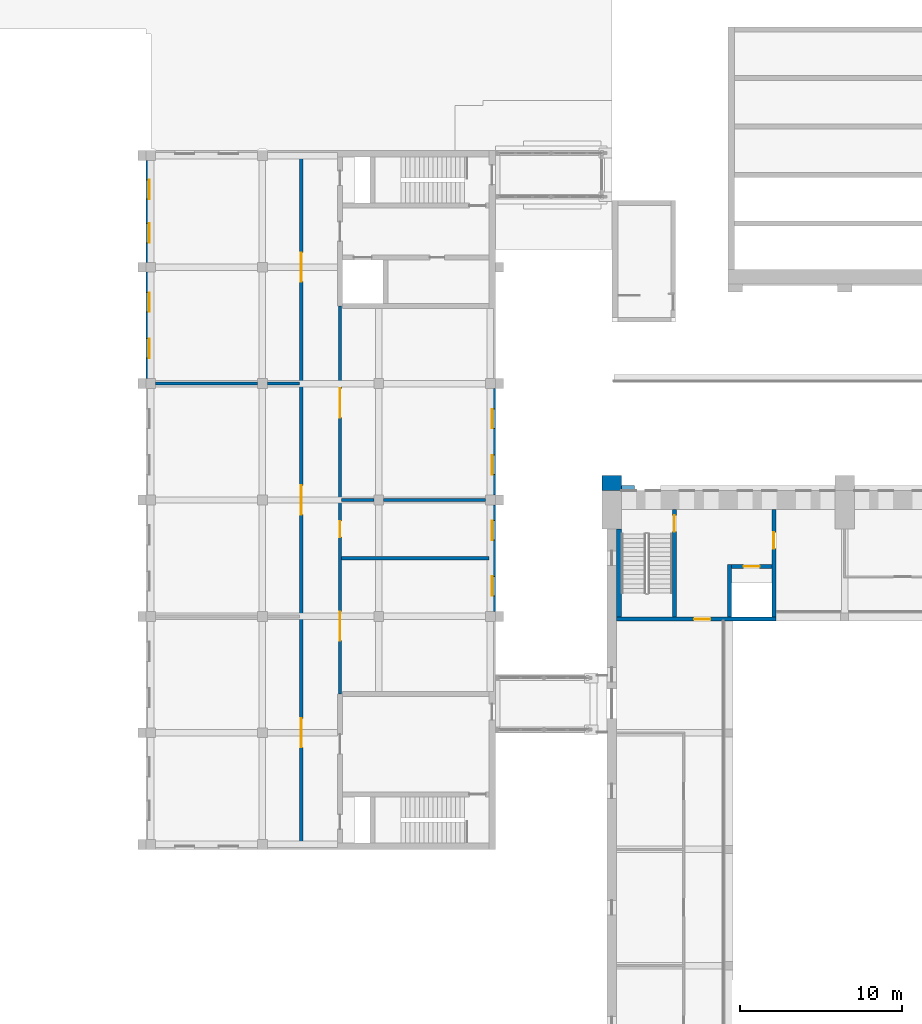
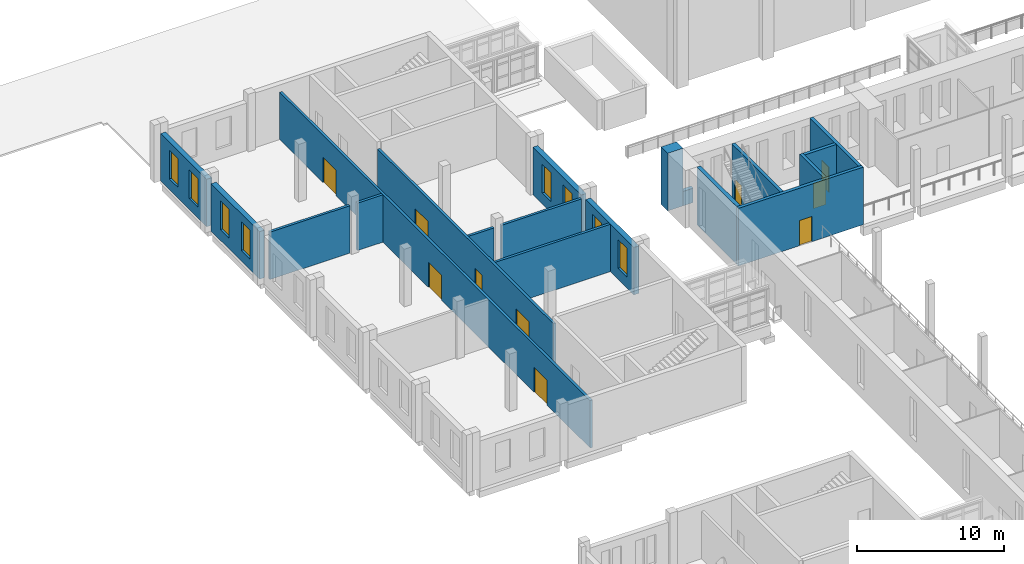
# One storey, part 84 of 131: 19 walls, 10 doors, 8 windows, 18 openings.
"""IFC4 building model written with IfcOpenShell, lengths in metres."""

from ifc_helpers import new_model, si_unit, direction, frame, frame_2d, origin, place, context, subcontext, project, spatial, rectangle, extrude, material, layer, layer_set, type_object, element, fill, save


model = new_model("IFC4")

# Units and contexts
model_context = context("Model", 3, precision=1e-05, world=origin(), true_north=direction((0.0, 1.0)))
body_context = subcontext(model_context, "Body", "Model", "MODEL_VIEW")
ifc_project = project(units=[si_unit("LENGTHUNIT", "METRE"), si_unit("AREAUNIT", "SQUARE_METRE"), si_unit("VOLUMEUNIT", "CUBIC_METRE"), si_unit("PLANEANGLEUNIT", "RADIAN"), si_unit("MASSUNIT", "GRAM", prefix="KILO")], contexts=[model_context])

# Site, building, storey
site_placement = place(None, origin())
site = spatial("IfcSite", under=ifc_project, at=site_placement, CompositionType="ELEMENT")
building_placement = place(site_placement, origin())
building = spatial("IfcBuilding", under=site, at=building_placement, Name="Alderwick Market Hall", CompositionType="ELEMENT")
storey_placement = place(building_placement, frame((0.0, 0.0, 4.800048828125)))
storey = spatial("IfcBuildingStorey", under=building, at=storey_placement, Name="L00", CompositionType="ELEMENT", Elevation=4.800048828125)

# Wall, openings, windows
ifc_material_1 = material(Name="Face brick", Category="masonry")
ifc_layer_1 = layer(ifc_material_1, 0.39990234375)
ifc_layer_set_1 = layer_set([ifc_layer_1], Name="Face brick")
wall_type_1 = type_object("IfcWallType", Name="B Brick Cavity Wall 400", PredefinedType="SOLIDWALL", material=ifc_layer_set_1)
wall_1_placement = place(storey_placement, frame((21.800048828125, 115.5, 0.0), z_axis=(0.0, 0.0, 1.0), x_axis=(0.0, 1.0, 0.0)))
wall_1 = element("IfcWall", 1, at=wall_1_placement, inside=storey, type_object=wall_type_1, Name="B.N.wall.L00.020", PredefinedType="SOLIDWALL", context=body_context, shape_type="SweptSolid", body=[
    extrude(rectangle(XDim=6.60009765625, YDim=0.39990234375, at=frame_2d((3.300048828125, 0.0))), origin(), (0.0, 0.0, 1.0), 3.949951171875),
])
opening_1_placement = place(wall_1_placement, frame((1.27490234375, 0.0, 0.89990234375)))
opening_1 = element("IfcOpeningElement", 2, at=opening_1_placement, cuts=wall_1, Name="Opening B-W022", PredefinedType="OPENING", context=body_context, shape_type="SweptSolid", body=[
    extrude(rectangle(XDim=1.199951171875, YDim=2.39990234375, at=frame_2d((0.60009765625, 1.199951171875))), frame((0.0, 0.2099609375, 0.0), z_axis=(0.0, -1.0, 0.0), x_axis=(1.0, 0.0, 0.0)), (0.0, 0.0, 1.0), 0.419921875),
])
opening_2_placement = place(wall_1_placement, frame((4.125, 0.0, 0.89990234375)))
opening_2 = element("IfcOpeningElement", 3, at=opening_2_placement, cuts=wall_1, Name="Opening B-W023", PredefinedType="OPENING", context=body_context, shape_type="SweptSolid", body=[
    extrude(rectangle(XDim=1.199951171875, YDim=2.39990234375, at=frame_2d((0.60009765625, 1.199951171875))), frame((0.0, 0.2099609375, 0.0), z_axis=(0.0, -1.0, 0.0), x_axis=(1.0, 0.0, 0.0)), (0.0, 0.0, 1.0), 0.419921875),
])
ifc_material_2 = material(Name="Aluminium frame", Category="aluminium")
window_type = type_object("IfcWindowType", Name="B Piano Nobile Window 1200x2400", PartitioningType="SINGLE_PANEL", PredefinedType="WINDOW", material=ifc_material_2)
window_1_placement = place(opening_1_placement, origin())
window_1 = element("IfcWindow", 4, at=window_1_placement, inside=storey, type_object=window_type, Name="Window B-W022", OverallHeight=2.39990234375, OverallWidth=1.199951171875, PartitioningType="SINGLE_PANEL", PredefinedType="WINDOW", context=body_context, shape_type="SweptSolid", body=[
    extrude(rectangle(XDim=1.199951171875, YDim=2.39990234375, at=frame_2d((0.60009765625, 1.199951171875))), frame((0.0, 0.030029296875, 0.0), z_axis=(0.0, -1.0, 0.0), x_axis=(1.0, 0.0, 0.0)), (0.0, 0.0, 1.0), 0.06005859375),
])
fill(opening_1, window_1)
window_2_placement = place(opening_2_placement, origin())
window_2 = element("IfcWindow", 5, at=window_2_placement, inside=storey, type_object=window_type, Name="Window B-W023", OverallHeight=2.39990234375, OverallWidth=1.199951171875, PartitioningType="SINGLE_PANEL", PredefinedType="WINDOW", context=body_context, shape_type="SweptSolid", body=[
    extrude(rectangle(XDim=1.199951171875, YDim=2.39990234375, at=frame_2d((0.60009765625, 1.199951171875))), frame((0.0, 0.030029296875, 0.0), z_axis=(0.0, -1.0, 0.0), x_axis=(1.0, 0.0, 0.0)), (0.0, 0.0, 1.0), 0.06005859375),
])
fill(opening_2, window_2)

wall_2_placement = place(storey_placement, frame((21.800048828125, 122.699951171875, 0.0), z_axis=(0.0, 0.0, 1.0), x_axis=(0.0, 1.0, 0.0)))
wall_2 = element("IfcWall", 6, at=wall_2_placement, inside=storey, type_object=wall_type_1, Name="B.N.wall.L00.021", PredefinedType="SOLIDWALL", context=body_context, shape_type="SweptSolid", body=[
    extrude(rectangle(XDim=6.300048828125, YDim=0.39990234375, at=frame_2d((3.14990234375, 0.0))), origin(), (0.0, 0.0, 1.0), 3.949951171875),
])
opening_3_placement = place(wall_2_placement, frame((1.199951171875, 0.0, 0.89990234375)))
opening_3 = element("IfcOpeningElement", 7, at=opening_3_placement, cuts=wall_2, Name="Opening B-W024", PredefinedType="OPENING", context=body_context, shape_type="SweptSolid", body=[
    extrude(rectangle(XDim=1.199951171875, YDim=2.39990234375, at=frame_2d((0.60009765625, 1.199951171875))), frame((0.0, 0.2099609375, 0.0), z_axis=(0.0, -1.0, 0.0), x_axis=(1.0, 0.0, 0.0)), (0.0, 0.0, 1.0), 0.419921875),
])
opening_4_placement = place(wall_2_placement, frame((3.89990234375, 0.0, 0.89990234375)))
opening_4 = element("IfcOpeningElement", 8, at=opening_4_placement, cuts=wall_2, Name="Opening B-W025", PredefinedType="OPENING", context=body_context, shape_type="SweptSolid", body=[
    extrude(rectangle(XDim=1.199951171875, YDim=2.39990234375, at=frame_2d((0.60009765625, 1.199951171875))), frame((0.0, 0.2099609375, 0.0), z_axis=(0.0, -1.0, 0.0), x_axis=(1.0, 0.0, 0.0)), (0.0, 0.0, 1.0), 0.419921875),
])
window_3_placement = place(opening_3_placement, origin())
window_3 = element("IfcWindow", 9, at=window_3_placement, inside=storey, type_object=window_type, Name="Window B-W024", OverallHeight=2.39990234375, OverallWidth=1.199951171875, PartitioningType="SINGLE_PANEL", PredefinedType="WINDOW", context=body_context, shape_type="SweptSolid", body=[
    extrude(rectangle(XDim=1.199951171875, YDim=2.39990234375, at=frame_2d((0.60009765625, 1.199951171875))), frame((0.0, 0.030029296875, 0.0), z_axis=(0.0, -1.0, 0.0), x_axis=(1.0, 0.0, 0.0)), (0.0, 0.0, 1.0), 0.06005859375),
])
fill(opening_3, window_3)
window_4_placement = place(opening_4_placement, origin())
window_4 = element("IfcWindow", 10, at=window_4_placement, inside=storey, type_object=window_type, Name="Window B-W025", OverallHeight=2.39990234375, OverallWidth=1.199951171875, PartitioningType="SINGLE_PANEL", PredefinedType="WINDOW", context=body_context, shape_type="SweptSolid", body=[
    extrude(rectangle(XDim=1.199951171875, YDim=2.39990234375, at=frame_2d((0.60009765625, 1.199951171875))), frame((0.0, 0.030029296875, 0.0), z_axis=(0.0, -1.0, 0.0), x_axis=(1.0, 0.0, 0.0)), (0.0, 0.0, 1.0), 0.06005859375),
])
fill(opening_4, window_4)

wall_3_placement = place(storey_placement, frame((43.0, 101.10009765625, 0.0), z_axis=(0.0, 0.0, 1.0), x_axis=(0.0, 1.0, 0.0)))
wall_3 = element("IfcWall", 11, at=wall_3_placement, inside=storey, type_object=wall_type_1, Name="B.N.wall.L00.030", PredefinedType="SOLIDWALL", context=body_context, shape_type="SweptSolid", body=[
    extrude(rectangle(XDim=6.599853515625, YDim=0.39990234375, at=frame_2d((3.2998046875, 0.0))), origin(), (0.0, 0.0, 1.0), 3.949951171875),
])
opening_5_placement = place(wall_3_placement, frame((0.97509765625, 0.0, 0.89990234375)))
opening_5 = element("IfcOpeningElement", 12, at=opening_5_placement, cuts=wall_3, Name="Opening B-W026", PredefinedType="OPENING", context=body_context, shape_type="SweptSolid", body=[
    extrude(rectangle(XDim=1.199951171875, YDim=2.39990234375, at=frame_2d((0.60009765625, 1.199951171875))), frame((0.0, 0.2099609375, 0.0), z_axis=(0.0, -1.0, 0.0), x_axis=(1.0, 0.0, 0.0)), (0.0, 0.0, 1.0), 0.419921875),
])
opening_6_placement = place(wall_3_placement, frame((4.425048828125, 0.0, 0.89990234375)))
opening_6 = element("IfcOpeningElement", 13, at=opening_6_placement, cuts=wall_3, Name="Opening B-W027", PredefinedType="OPENING", context=body_context, shape_type="SweptSolid", body=[
    extrude(rectangle(XDim=1.199951171875, YDim=2.39990234375, at=frame_2d((0.60009765625, 1.199951171875))), frame((0.0, 0.2099609375, 0.0), z_axis=(0.0, -1.0, 0.0), x_axis=(1.0, 0.0, 0.0)), (0.0, 0.0, 1.0), 0.419921875),
])
window_5_placement = place(opening_5_placement, origin())
window_5 = element("IfcWindow", 14, at=window_5_placement, inside=storey, type_object=window_type, Name="Window B-W026", OverallHeight=2.39990234375, OverallWidth=1.199951171875, PartitioningType="SINGLE_PANEL", PredefinedType="WINDOW", context=body_context, shape_type="SweptSolid", body=[
    extrude(rectangle(XDim=1.199951171875, YDim=2.39990234375, at=frame_2d((0.60009765625, 1.199951171875))), frame((0.0, 0.030029296875, 0.0), z_axis=(0.0, -1.0, 0.0), x_axis=(1.0, 0.0, 0.0)), (0.0, 0.0, 1.0), 0.06005859375),
])
fill(opening_5, window_5)
window_6_placement = place(opening_6_placement, origin())
window_6 = element("IfcWindow", 15, at=window_6_placement, inside=storey, type_object=window_type, Name="Window B-W027", OverallHeight=2.39990234375, OverallWidth=1.199951171875, PartitioningType="SINGLE_PANEL", PredefinedType="WINDOW", context=body_context, shape_type="SweptSolid", body=[
    extrude(rectangle(XDim=1.199951171875, YDim=2.39990234375, at=frame_2d((0.60009765625, 1.199951171875))), frame((0.0, 0.030029296875, 0.0), z_axis=(0.0, -1.0, 0.0), x_axis=(1.0, 0.0, 0.0)), (0.0, 0.0, 1.0), 0.06005859375),
])
fill(opening_6, window_6)

wall_4_placement = place(storey_placement, frame((43.0, 108.300048828125, 0.0), z_axis=(0.0, 0.0, 1.0), x_axis=(0.0, 1.0, 0.0)))
wall_4 = element("IfcWall", 16, at=wall_4_placement, inside=storey, type_object=wall_type_1, Name="B.N.wall.L00.031", PredefinedType="SOLIDWALL", context=body_context, shape_type="SweptSolid", body=[
    extrude(rectangle(XDim=6.599853515625, YDim=0.39990234375, at=frame_2d((3.2998046875, 0.0))), origin(), (0.0, 0.0, 1.0), 3.949951171875),
])
opening_7_placement = place(wall_4_placement, frame((1.27490234375, 0.0, 0.89990234375)))
opening_7 = element("IfcOpeningElement", 17, at=opening_7_placement, cuts=wall_4, Name="Opening B-W028", PredefinedType="OPENING", context=body_context, shape_type="SweptSolid", body=[
    extrude(rectangle(XDim=1.199951171875, YDim=2.39990234375, at=frame_2d((0.60009765625, 1.199951171875))), frame((0.0, 0.2099609375, 0.0), z_axis=(0.0, -1.0, 0.0), x_axis=(1.0, 0.0, 0.0)), (0.0, 0.0, 1.0), 0.419921875),
])
opening_8_placement = place(wall_4_placement, frame((4.125, 0.0, 0.89990234375)))
opening_8 = element("IfcOpeningElement", 18, at=opening_8_placement, cuts=wall_4, Name="Opening B-W029", PredefinedType="OPENING", context=body_context, shape_type="SweptSolid", body=[
    extrude(rectangle(XDim=1.199951171875, YDim=2.39990234375, at=frame_2d((0.60009765625, 1.199951171875))), frame((0.0, 0.2099609375, 0.0), z_axis=(0.0, -1.0, 0.0), x_axis=(1.0, 0.0, 0.0)), (0.0, 0.0, 1.0), 0.419921875),
])
window_7_placement = place(opening_7_placement, origin())
window_7 = element("IfcWindow", 19, at=window_7_placement, inside=storey, type_object=window_type, Name="Window B-W028", OverallHeight=2.39990234375, OverallWidth=1.199951171875, PartitioningType="SINGLE_PANEL", PredefinedType="WINDOW", context=body_context, shape_type="SweptSolid", body=[
    extrude(rectangle(XDim=1.199951171875, YDim=2.39990234375, at=frame_2d((0.60009765625, 1.199951171875))), frame((0.0, 0.030029296875, 0.0), z_axis=(0.0, -1.0, 0.0), x_axis=(1.0, 0.0, 0.0)), (0.0, 0.0, 1.0), 0.06005859375),
])
fill(opening_7, window_7)
window_8_placement = place(opening_8_placement, origin())
window_8 = element("IfcWindow", 20, at=window_8_placement, inside=storey, type_object=window_type, Name="Window B-W029", OverallHeight=2.39990234375, OverallWidth=1.199951171875, PartitioningType="SINGLE_PANEL", PredefinedType="WINDOW", context=body_context, shape_type="SweptSolid", body=[
    extrude(rectangle(XDim=1.199951171875, YDim=2.39990234375, at=frame_2d((0.60009765625, 1.199951171875))), frame((0.0, 0.030029296875, 0.0), z_axis=(0.0, -1.0, 0.0), x_axis=(1.0, 0.0, 0.0)), (0.0, 0.0, 1.0), 0.06005859375),
])
fill(opening_8, window_8)

# Walls
ifc_material_3 = material(Name="Concrete masonry 3000 psi", Category="masonry")
ifc_layer_2 = layer(ifc_material_3, 0.199951171875)
ifc_layer_set_2 = layer_set([ifc_layer_2], Name="Concrete masonry 3000 psi")
wall_type_2 = type_object("IfcWallType", Name="B Masonry Partition 200", PredefinedType="PARTITIONING", material=ifc_layer_set_2)
wall_5_placement = place(storey_placement, frame((33.699951171875, 104.39990234375, 0.0), z_axis=(0.0, 0.0, 1.0), x_axis=(1.0, 0.0, 0.0)))
element("IfcWall", 21, at=wall_5_placement, inside=storey, type_object=wall_type_2, Name="B.N.wall.L00.006", PredefinedType="PARTITIONING", context=body_context, shape_type="SweptSolid", body=[
    extrude(rectangle(XDim=9.10009765625, YDim=0.199951171875, at=frame_2d((4.550048828125, 0.0))), origin(), (0.0, 0.0, 1.0), 3.949951171875),
])
wall_6_placement = place(storey_placement, frame((33.699951171875, 108.0, 0.0), z_axis=(0.0, 0.0, 1.0), x_axis=(1.0, 0.0, 0.0)))
element("IfcWall", 22, at=wall_6_placement, inside=storey, type_object=wall_type_2, Name="B.N.wall.L00.007", PredefinedType="PARTITIONING", context=body_context, shape_type="SweptSolid", body=[
    extrude(rectangle(XDim=2.0, YDim=0.199951171875, at=frame_2d((1.0, 0.0))), origin(), (0.0, 0.0, 1.0), 3.949951171875),
])
for number, where, z_axis, x_axis, name in (
    (23, (36.300048828125, 108.0, 0.0), (0.0, 0.0, 1.0), (1.0, 0.0, 0.0), "B.N.wall.L00.008"),
    (24, (22.199951171875, 115.199951171875, 0.0), (0.0, 0.0, 1.0), (1.0, 0.0, 0.0), "B.N.wall.L00.009"),
):
    element("IfcWall", number, at=place(storey_placement, frame(where, z_axis=z_axis, x_axis=x_axis)), inside=storey, type_object=wall_type_2, Name=name, PredefinedType="PARTITIONING", context=body_context, shape_type="SweptSolid", body=[
        extrude(rectangle(XDim=6.300048828125, YDim=0.199951171875, at=frame_2d((3.14990234375, 0.0))), origin(), (0.0, 0.0, 1.0), 3.949951171875),
    ])
wall_7_placement = place(storey_placement, frame((29.10009765625, 115.199951171875, 0.0), z_axis=(0.0, 0.0, 1.0), x_axis=(1.0, 0.0, 0.0)))
element("IfcWall", 25, at=wall_7_placement, inside=storey, type_object=wall_type_2, Name="B.N.wall.L00.010", PredefinedType="PARTITIONING", context=body_context, shape_type="SweptSolid", body=[
    extrude(rectangle(XDim=2.0, YDim=0.199951171875, at=frame_2d((1.0, 0.0))), origin(), (0.0, 0.0, 1.0), 3.949951171875),
])

# Wall, openings, doors
wall_8_placement = place(storey_placement, frame((31.199951171875, 86.800048828125, 0.0), z_axis=(0.0, 0.0, 1.0), x_axis=(0.0, 1.0, 0.0)))
wall_8 = element("IfcWall", 26, at=wall_8_placement, inside=storey, type_object=wall_type_2, Name="B.N.wall.L00.022", PredefinedType="PARTITIONING", context=body_context, shape_type="SweptSolid", body=[
    extrude(rectangle(XDim=42.39990234375, YDim=0.199951171875, at=frame_2d((21.199951171875, 0.0))), origin(), (0.0, 0.0, 1.0), 3.949951171875),
])
opening_9_placement = place(wall_8_placement, frame((34.699951171875, 0.0, 0.0)))
opening_9 = element("IfcOpeningElement", 27, at=opening_9_placement, cuts=wall_8, Name="Opening B-D035", PredefinedType="OPENING", context=body_context, shape_type="SweptSolid", body=[
    extrude(rectangle(XDim=1.800048828125, YDim=2.10009765625, at=frame_2d((0.89990234375, 1.050048828125))), frame((0.0, 0.10986328125, 0.0), z_axis=(0.0, -1.0, 0.0), x_axis=(1.0, 0.0, 0.0)), (0.0, 0.0, 1.0), 0.219970703125),
])
opening_10_placement = place(wall_8_placement, frame((20.300048828125, 0.0, 0.0)))
opening_10 = element("IfcOpeningElement", 28, at=opening_10_placement, cuts=wall_8, Name="Opening B-D036", PredefinedType="OPENING", context=body_context, shape_type="SweptSolid", body=[
    extrude(rectangle(XDim=1.800048828125, YDim=2.10009765625, at=frame_2d((0.89990234375, 1.050048828125))), frame((0.0, 0.10986328125, 0.0), z_axis=(0.0, -1.0, 0.0), x_axis=(1.0, 0.0, 0.0)), (0.0, 0.0, 1.0), 0.219970703125),
])
opening_11_placement = place(wall_8_placement, frame((5.89990234375, 0.0, 0.0)))
opening_11 = element("IfcOpeningElement", 29, at=opening_11_placement, cuts=wall_8, Name="Opening B-D037", PredefinedType="OPENING", context=body_context, shape_type="SweptSolid", body=[
    extrude(rectangle(XDim=1.800048828125, YDim=2.10009765625, at=frame_2d((0.89990234375, 1.050048828125))), frame((0.0, 0.10986328125, 0.0), z_axis=(0.0, -1.0, 0.0), x_axis=(1.0, 0.0, 0.0)), (0.0, 0.0, 1.0), 0.219970703125),
])
ifc_material_4 = material(Name="Hollow metal door and frame")
door_type_1 = type_object("IfcDoorType", Name="B Double Door 1800x2100", OperationType="DOUBLE_DOOR_DOUBLE_SWING", PredefinedType="DOOR", material=ifc_material_4)
door_1_placement = place(opening_9_placement, origin())
door_1 = element("IfcDoor", 30, at=door_1_placement, inside=storey, type_object=door_type_1, Name="Production Bakery door", OperationType="DOUBLE_DOOR_DOUBLE_SWING", OverallHeight=2.10009765625, OverallWidth=1.800048828125, PredefinedType="DOOR", context=body_context, shape_type="SweptSolid", body=[
    extrude(rectangle(XDim=1.800048828125, YDim=2.10009765625, at=frame_2d((0.89990234375, 1.050048828125))), frame((0.0, 0.02490234375, 0.0), z_axis=(0.0, -1.0, 0.0), x_axis=(1.0, 0.0, 0.0)), (0.0, 0.0, 1.0), 0.050048828125),
])
fill(opening_9, door_1)
door_2_placement = place(opening_10_placement, origin())
door_2 = element("IfcDoor", 31, at=door_2_placement, inside=storey, type_object=door_type_1, Name="Butchery Workshop door", OperationType="DOUBLE_DOOR_DOUBLE_SWING", OverallHeight=2.10009765625, OverallWidth=1.800048828125, PredefinedType="DOOR", context=body_context, shape_type="SweptSolid", body=[
    extrude(rectangle(XDim=1.800048828125, YDim=2.10009765625, at=frame_2d((0.89990234375, 1.050048828125))), frame((0.0, 0.02490234375, 0.0), z_axis=(0.0, -1.0, 0.0), x_axis=(1.0, 0.0, 0.0)), (0.0, 0.0, 1.0), 0.050048828125),
])
fill(opening_10, door_2)
door_3_placement = place(opening_11_placement, origin())
door_3 = element("IfcDoor", 32, at=door_3_placement, inside=storey, type_object=door_type_1, Name="Packing Room door", OperationType="DOUBLE_DOOR_DOUBLE_SWING", OverallHeight=2.10009765625, OverallWidth=1.800048828125, PredefinedType="DOOR", context=body_context, shape_type="SweptSolid", body=[
    extrude(rectangle(XDim=1.800048828125, YDim=2.10009765625, at=frame_2d((0.89990234375, 1.050048828125))), frame((0.0, 0.02490234375, 0.0), z_axis=(0.0, -1.0, 0.0), x_axis=(1.0, 0.0, 0.0)), (0.0, 0.0, 1.0), 0.050048828125),
])
fill(opening_11, door_3)

wall_9_placement = place(storey_placement, frame((33.60009765625, 96.0, 0.0), z_axis=(0.0, 0.0, 1.0), x_axis=(0.0, 1.0, 0.0)))
wall_9 = element("IfcWall", 33, at=wall_9_placement, inside=storey, type_object=wall_type_2, Name="B.N.wall.L00.024", PredefinedType="PARTITIONING", context=body_context, shape_type="SweptSolid", body=[
    extrude(rectangle(XDim=24.0, YDim=0.199951171875, at=frame_2d((12.0, 0.0))), origin(), (0.0, 0.0, 1.0), 3.949951171875),
])
opening_12_placement = place(wall_9_placement, frame((17.10009765625, 0.0, 0.0)))
opening_12 = element("IfcOpeningElement", 34, at=opening_12_placement, cuts=wall_9, Name="Opening B-D038", PredefinedType="OPENING", context=body_context, shape_type="SweptSolid", body=[
    extrude(rectangle(XDim=1.800048828125, YDim=2.10009765625, at=frame_2d((0.89990234375, 1.050048828125))), frame((0.0, 0.10986328125, 0.0), z_axis=(0.0, -1.0, 0.0), x_axis=(1.0, 0.0, 0.0)), (0.0, 0.0, 1.0), 0.219970703125),
])
opening_13_placement = place(wall_9_placement, frame((9.699951171875, 0.0, 0.0)))
opening_13 = element("IfcOpeningElement", 35, at=opening_13_placement, cuts=wall_9, Name="Opening B-D039", PredefinedType="OPENING", context=body_context, shape_type="SweptSolid", body=[
    extrude(rectangle(XDim=1.0, YDim=2.10009765625, at=frame_2d((0.5, 1.050048828125))), frame((0.0, 0.10986328125, 0.0), z_axis=(0.0, -1.0, 0.0), x_axis=(1.0, 0.0, 0.0)), (0.0, 0.0, 1.0), 0.219970703125),
])
opening_14_placement = place(wall_9_placement, frame((3.300048828125, 0.0, 0.0)))
opening_14 = element("IfcOpeningElement", 36, at=opening_14_placement, cuts=wall_9, Name="Opening B-D040", PredefinedType="OPENING", context=body_context, shape_type="SweptSolid", body=[
    extrude(rectangle(XDim=1.800048828125, YDim=2.10009765625, at=frame_2d((0.89990234375, 1.050048828125))), frame((0.0, 0.10986328125, 0.0), z_axis=(0.0, -1.0, 0.0), x_axis=(1.0, 0.0, 0.0)), (0.0, 0.0, 1.0), 0.219970703125),
])
door_type_2 = type_object("IfcDoorType", Name="B Door 1000x2100", OperationType="SINGLE_SWING_LEFT", PredefinedType="DOOR", material=ifc_material_4)
door_4_placement = place(opening_13_placement, origin())
door_4 = element("IfcDoor", 37, at=door_4_placement, inside=storey, type_object=door_type_2, Name="Staff WC door", OperationType="SINGLE_SWING_LEFT", OverallHeight=2.10009765625, OverallWidth=1.0, PredefinedType="DOOR", context=body_context, shape_type="SweptSolid", body=[
    extrude(rectangle(XDim=1.0, YDim=2.10009765625, at=frame_2d((0.5, 1.050048828125))), frame((0.0, 0.02490234375, 0.0), z_axis=(0.0, -1.0, 0.0), x_axis=(1.0, 0.0, 0.0)), (0.0, 0.0, 1.0), 0.050048828125),
])
fill(opening_13, door_4)
door_5_placement = place(opening_12_placement, origin())
door_5 = element("IfcDoor", 38, at=door_5_placement, inside=storey, type_object=door_type_1, Name="Repair Workshop door", OperationType="DOUBLE_DOOR_DOUBLE_SWING", OverallHeight=2.10009765625, OverallWidth=1.800048828125, PredefinedType="DOOR", context=body_context, shape_type="SweptSolid", body=[
    extrude(rectangle(XDim=1.800048828125, YDim=2.10009765625, at=frame_2d((0.89990234375, 1.050048828125))), frame((0.0, 0.02490234375, 0.0), z_axis=(0.0, -1.0, 0.0), x_axis=(1.0, 0.0, 0.0)), (0.0, 0.0, 1.0), 0.050048828125),
])
fill(opening_12, door_5)
door_6_placement = place(opening_14_placement, origin())
door_6 = element("IfcDoor", 39, at=door_6_placement, inside=storey, type_object=door_type_1, Name="Dry Store door", OperationType="DOUBLE_DOOR_DOUBLE_SWING", OverallHeight=2.10009765625, OverallWidth=1.800048828125, PredefinedType="DOOR", context=body_context, shape_type="SweptSolid", body=[
    extrude(rectangle(XDim=1.800048828125, YDim=2.10009765625, at=frame_2d((0.89990234375, 1.050048828125))), frame((0.0, 0.02490234375, 0.0), z_axis=(0.0, -1.0, 0.0), x_axis=(1.0, 0.0, 0.0)), (0.0, 0.0, 1.0), 0.050048828125),
])
fill(opening_14, door_6)

# Walls
ifc_material_5 = material(Name="Cast stone 5000 psi (f'c 35 MPa), ASTM C1364", Category="masonry")
ifc_layer_3 = layer(ifc_material_5, 0.300048828125)
ifc_layer_set_3 = layer_set([ifc_layer_3], Name="Cast stone 5000 psi (f'c 35 MPa), ASTM C1364")
wall_type_3 = type_object("IfcWallType", Name="H Base course 300", PredefinedType="SOLIDWALL", material=ifc_layer_set_3)
wall_10_placement = place(storey_placement, frame((51.0, 108.75, 0.0), z_axis=(0.0, 0.0, 1.0), x_axis=(1.0, 0.0, 0.0)))
element("IfcWall", 40, at=wall_10_placement, inside=storey, type_object=wall_type_3, Name="Base course N1", PredefinedType="SOLIDWALL", context=body_context, shape_type="SweptSolid", body=[
    extrude(rectangle(XDim=0.800048828125, YDim=0.300048828125, at=frame_2d((0.39990234375, 0.0))), origin(), (0.0, 0.0, 1.0), 1.199951171875),
])
ifc_material_6 = material(Name="Face brick masonry, ASTM C216 grade SW (f'm 17 MPa)", Category="masonry")
ifc_layer_4 = layer(ifc_material_6, 0.89990234375)
ifc_layer_set_4 = layer_set([ifc_layer_4], Name="Face brick masonry, ASTM C216 grade SW (f'm 17 MPa)")
wall_type_4 = type_object("IfcWallType", Name="H Buttress pier 900", PredefinedType="SOLIDWALL", material=ifc_layer_set_4)
wall_11_placement = place(storey_placement, frame((49.800048828125, 109.050048828125, 0.0), z_axis=(0.0, 0.0, 1.0), x_axis=(1.0, 0.0, 0.0)))
element("IfcWall", 41, at=wall_11_placement, inside=storey, type_object=wall_type_4, Name="Buttress pier N1", PredefinedType="SOLIDWALL", context=body_context, shape_type="SweptSolid", body=[
    extrude(rectangle(XDim=1.199951171875, YDim=0.89990234375, at=frame_2d((0.60009765625, 0.0))), origin(), (0.0, 0.0, 1.0), 4.800048828125),
])

# Wall, opening, door
ifc_material_7 = material(Name="Concrete 5000 psi (f'c 35 MPa)", Category="concrete")
ifc_layer_5 = layer(ifc_material_7, 0.25)
ifc_layer_set_5 = layer_set([ifc_layer_5], Name="Concrete 5000 psi (f'c 35 MPa)")
wall_type_5 = type_object("IfcWallType", Name="H Core wall 250", PredefinedType="SOLIDWALL", material=ifc_layer_set_5)
wall_12_placement = place(storey_placement, frame((50.699951171875, 100.635009765625, 0.0), z_axis=(0.0, 0.0, 1.0), x_axis=(1.0, 0.0, 0.0)))
wall_12 = element("IfcWall", 42, at=wall_12_placement, inside=storey, type_object=wall_type_5, Name="Core wall H-NW", PredefinedType="SOLIDWALL", context=body_context, shape_type="SweptSolid", body=[
    extrude(rectangle(XDim=9.85009765625, YDim=0.25, at=frame_2d((4.925048828125, 0.0))), origin(), (0.0, 0.0, 1.0), 4.800048828125),
])
opening_15_placement = place(wall_12_placement, frame((4.800048828125, 0.0, 0.0)))
opening_15 = element("IfcOpeningElement", 43, at=opening_15_placement, cuts=wall_12, Name="Opening H-D032", PredefinedType="OPENING", context=body_context, shape_type="SweptSolid", body=[
    extrude(rectangle(XDim=1.0, YDim=2.10009765625, at=frame_2d((0.5, 1.050048828125))), frame((0.0, 0.135009765625, 0.0), z_axis=(0.0, -1.0, 0.0), x_axis=(1.0, 0.0, 0.0)), (0.0, 0.0, 1.0), 0.27001953125),
])
ifc_material_8 = material(Name="Steel, fire-rated", Category="steel")
door_type_3 = type_object("IfcDoorType", Name="H Stair door FD90 1000x2100", OperationType="SINGLE_SWING_LEFT", PredefinedType="DOOR", material=ifc_material_8)
door_7_placement = place(opening_15_placement, origin())
door_7 = element("IfcDoor", 44, at=door_7_placement, inside=storey, type_object=door_type_3, Name="Door H-D032", OperationType="SINGLE_SWING_LEFT", OverallHeight=2.10009765625, OverallWidth=1.0, PredefinedType="DOOR", context=body_context, shape_type="SweptSolid", body=[
    extrude(rectangle(XDim=1.0, YDim=2.10009765625, at=frame_2d((0.5, 1.050048828125))), frame((0.0, 0.02490234375, 0.0), z_axis=(0.0, -1.0, 0.0), x_axis=(1.0, 0.0, 0.0)), (0.0, 0.0, 1.0), 0.050048828125),
])
fill(opening_15, door_7)

wall_13_placement = place(storey_placement, frame((60.425048828125, 100.760009765625, 0.0), z_axis=(0.0, 0.0, 1.0), x_axis=(0.0, 1.0, 0.0)))
wall_13 = element("IfcWall", 45, at=wall_13_placement, inside=storey, type_object=wall_type_5, Name="Core wall H-NW", PredefinedType="SOLIDWALL", context=body_context, shape_type="SweptSolid", body=[
    extrude(rectangle(XDim=6.639892578125, YDim=0.25, at=frame_2d((3.31982421875, 0.0))), origin(), (0.0, 0.0, 1.0), 4.800048828125),
])
opening_16_placement = place(wall_13_placement, frame((4.239990234375, 0.0, 0.0)))
opening_16 = element("IfcOpeningElement", 46, at=opening_16_placement, cuts=wall_13, Name="Opening H-D031", PredefinedType="OPENING", context=body_context, shape_type="SweptSolid", body=[
    extrude(rectangle(XDim=1.0, YDim=2.10009765625, at=frame_2d((0.5, 1.050048828125))), frame((0.0, 0.135009765625, 0.0), z_axis=(0.0, -1.0, 0.0), x_axis=(1.0, 0.0, 0.0)), (0.0, 0.0, 1.0), 0.27001953125),
])
door_8_placement = place(opening_16_placement, origin())
door_8 = element("IfcDoor", 47, at=door_8_placement, inside=storey, type_object=door_type_3, Name="Door H-D031", OperationType="SINGLE_SWING_LEFT", OverallHeight=2.10009765625, OverallWidth=1.0, PredefinedType="DOOR", context=body_context, shape_type="SweptSolid", body=[
    extrude(rectangle(XDim=1.0, YDim=2.10009765625, at=frame_2d((0.5, 1.050048828125))), frame((0.0, 0.02490234375, 0.0), z_axis=(0.0, -1.0, 0.0), x_axis=(1.0, 0.0, 0.0)), (0.0, 0.0, 1.0), 0.050048828125),
])
fill(opening_16, door_8)

wall_14_placement = place(storey_placement, frame((54.27490234375, 100.760009765625, 0.0), z_axis=(0.0, 0.0, 1.0), x_axis=(0.0, 1.0, 0.0)))
wall_14 = element("IfcWall", 48, at=wall_14_placement, inside=storey, type_object=wall_type_5, Name="Core wall H-NW", PredefinedType="SOLIDWALL", context=body_context, shape_type="SweptSolid", body=[
    extrude(rectangle(XDim=6.639892578125, YDim=0.25, at=frame_2d((3.31982421875, 0.0))), origin(), (0.0, 0.0, 1.0), 4.800048828125),
])
opening_17_placement = place(wall_14_placement, frame((5.2900390625, 0.0, 0.0)))
opening_17 = element("IfcOpeningElement", 49, at=opening_17_placement, cuts=wall_14, Name="Opening H-D030", PredefinedType="OPENING", context=body_context, shape_type="SweptSolid", body=[
    extrude(rectangle(XDim=1.0, YDim=2.10009765625, at=frame_2d((0.5, 1.050048828125))), frame((0.0, 0.135009765625, 0.0), z_axis=(0.0, -1.0, 0.0), x_axis=(1.0, 0.0, 0.0)), (0.0, 0.0, 1.0), 0.27001953125),
])
door_9_placement = place(opening_17_placement, origin())
door_9 = element("IfcDoor", 50, at=door_9_placement, inside=storey, type_object=door_type_3, Name="Door H-D030", OperationType="SINGLE_SWING_LEFT", OverallHeight=2.10009765625, OverallWidth=1.0, PredefinedType="DOOR", context=body_context, shape_type="SweptSolid", body=[
    extrude(rectangle(XDim=1.0, YDim=2.10009765625, at=frame_2d((0.5, 1.050048828125))), frame((0.0, 0.02490234375, 0.0), z_axis=(0.0, -1.0, 0.0), x_axis=(1.0, 0.0, 0.0)), (0.0, 0.0, 1.0), 0.050048828125),
])
fill(opening_17, door_9)

# Wall
wall_15_placement = place(storey_placement, frame((57.675048828125, 100.760009765625, 0.0), z_axis=(0.0, 0.0, 1.0), x_axis=(0.0, 1.0, 0.0)))
element("IfcWall", 51, at=wall_15_placement, inside=storey, type_object=wall_type_5, Name="Core wall H-NW", PredefinedType="SOLIDWALL", context=body_context, shape_type="SweptSolid", body=[
    extrude(rectangle(XDim=3.25, YDim=0.25, at=frame_2d((1.625, 0.0))), origin(), (0.0, 0.0, 1.0), 4.800048828125),
])

# Wall, opening, door
wall_16_placement = place(storey_placement, frame((57.800048828125, 103.885009765625, 0.0), z_axis=(0.0, 0.0, 1.0), x_axis=(1.0, 0.0, 0.0)))
wall_16 = element("IfcWall", 52, at=wall_16_placement, inside=storey, type_object=wall_type_5, Name="Core wall H-NW", PredefinedType="SOLIDWALL", context=body_context, shape_type="SweptSolid", body=[
    extrude(rectangle(XDim=2.5, YDim=0.25, at=frame_2d((1.25, 0.0))), origin(), (0.0, 0.0, 1.0), 4.800048828125),
])
opening_18_placement = place(wall_16_placement, frame((0.75, 0.0, 0.0)))
opening_18 = element("IfcOpeningElement", 53, at=opening_18_placement, cuts=wall_16, Name="Opening H-D029", PredefinedType="OPENING", context=body_context, shape_type="SweptSolid", body=[
    extrude(rectangle(XDim=1.0, YDim=2.10009765625, at=frame_2d((0.5, 1.050048828125))), frame((0.0, 0.135009765625, 0.0), z_axis=(0.0, -1.0, 0.0), x_axis=(1.0, 0.0, 0.0)), (0.0, 0.0, 1.0), 0.27001953125),
])
ifc_material_9 = material(Name="Timber, solid core", Category="wood")
door_type_4 = type_object("IfcDoorType", Name="H Room door 1000x2100", OperationType="SINGLE_SWING_LEFT", PredefinedType="DOOR", material=ifc_material_9)
door_10_placement = place(opening_18_placement, origin())
door_10 = element("IfcDoor", 54, at=door_10_placement, inside=storey, type_object=door_type_4, Name="Door H-D029", OperationType="SINGLE_SWING_LEFT", OverallHeight=2.10009765625, OverallWidth=1.0, PredefinedType="DOOR", context=body_context, shape_type="SweptSolid", body=[
    extrude(rectangle(XDim=1.0, YDim=2.10009765625, at=frame_2d((0.5, 1.050048828125))), frame((0.0, 0.02490234375, 0.0), z_axis=(0.0, -1.0, 0.0), x_axis=(1.0, 0.0, 0.0)), (0.0, 0.0, 1.0), 0.050048828125),
])
fill(opening_18, door_10)

# Wall
ifc_layer_6 = layer(ifc_material_7, 0.300048828125)
ifc_layer_set_6 = layer_set([ifc_layer_6], Name="Concrete 5000 psi (f'c 35 MPa)")
wall_type_6 = type_object("IfcWallType", Name="H Stair furring wall 300", PredefinedType="SOLIDWALL", material=ifc_layer_set_6)
wall_17_placement = place(storey_placement, frame((50.85009765625, 100.760009765625, 0.0), z_axis=(0.0, 0.0, 1.0), x_axis=(0.0, 1.0, 0.0)))
element("IfcWall", 55, at=wall_17_placement, inside=storey, type_object=wall_type_6, Name="Core wall H-NW", PredefinedType="SOLIDWALL", context=body_context, shape_type="SweptSolid", body=[
    extrude(rectangle(XDim=5.43994140625, YDim=0.300048828125, at=frame_2d((2.719970703125, 0.0))), origin(), (0.0, 0.0, 1.0), 4.800048828125),
])

save(model, "model.ifc")
